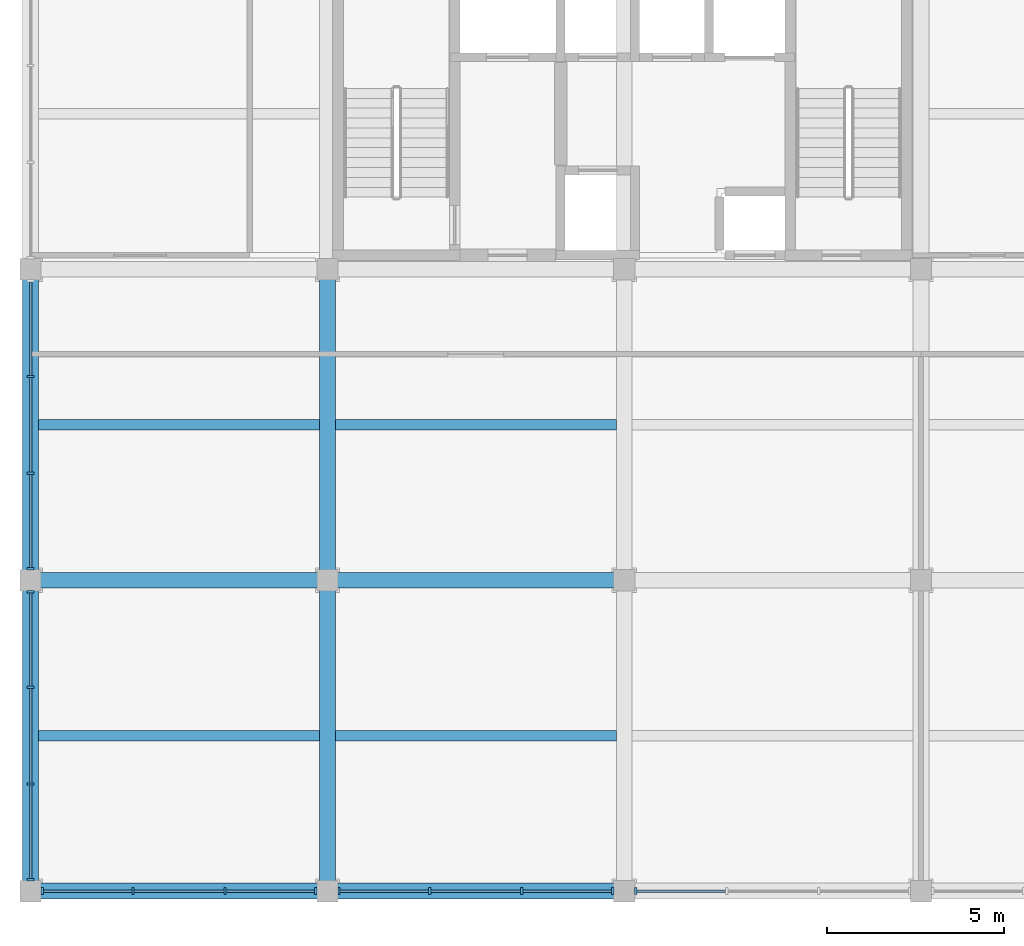
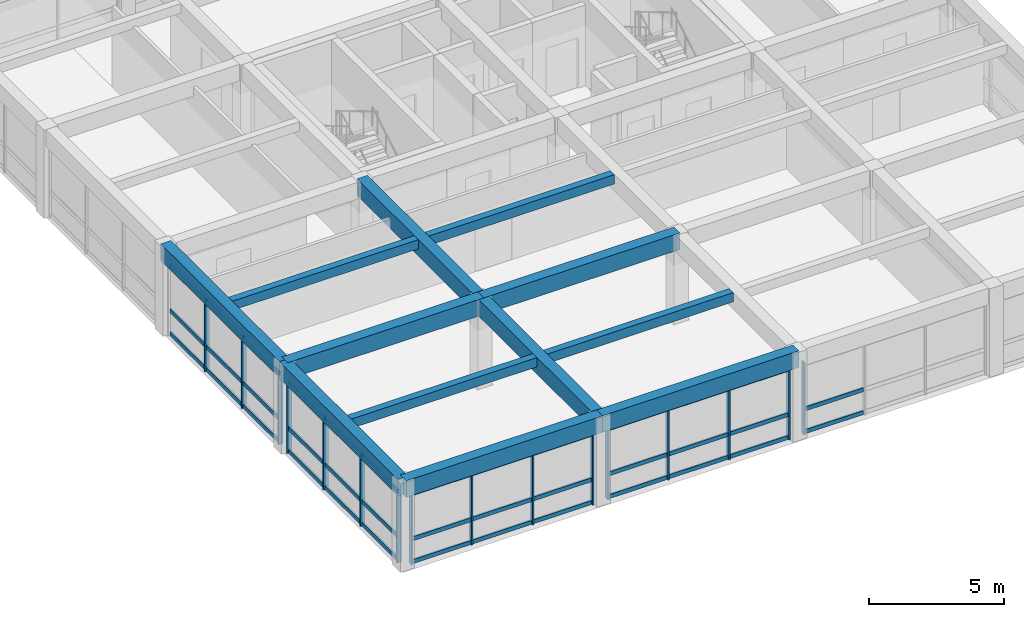
# One storey, part 2 of 14: 54 members, 12 beams, 5 elements without a shape of their own.
"""IFC4 building model written with IfcOpenShell, lengths in metres."""

import ifcopenshell
import ifcopenshell.guid

model = None  # the IFC model being written
_history = None  # IfcOwnerHistory: only IFC2X3 demands one
_inside = {}  # id of a spatial element -> (the spatial element, [elements in it])
_under = {}  # id of a project, library or spatial element -> (it, [spatial elements below it])
_declared = {}  # id of a project -> (the project, [libraries it declares])
_typed = {}  # id of a type object -> (the type object, [elements of that type])
_made_of = {}  # id of a material, layer set ... -> (it, [elements and type objects made of it])


def new_model(schema):
    """Start an empty IFC model of exactly this schema.

    Asked for "IFC4X3", IfcOpenShell would pick the latest addendum, in which some entities
    have other attributes; the version numbers below select the first issue.
    IFC2X3 requires an IfcOwnerHistory on every rooted entity: one is made here for all.
    """
    global model, _history
    if schema == "IFC4X3":
        model = ifcopenshell.file(schema_version=(4, 3, 0, 0))
    else:
        model = ifcopenshell.file(schema=schema)
    _inside.clear()
    _under.clear()
    _declared.clear()
    _typed.clear()
    _made_of.clear()
    _history = None
    if model.schema == "IFC2X3":
        org = make("IfcOrganization", Name="unknown")
        user = make(
            "IfcPersonAndOrganization",
            ThePerson=make("IfcPerson", FamilyName="unknown"),
            TheOrganization=org,
        )
        app = make(
            "IfcApplication",
            ApplicationDeveloper=org,
            Version="unknown",
            ApplicationFullName="unknown",
            ApplicationIdentifier="unknown",
        )
        _history = make(
            "IfcOwnerHistory",
            OwningUser=user,
            OwningApplication=app,
            ChangeAction="ADDED",
            CreationDate=0,
        )
    return model


def make(cls, **values):
    """One entity of the class cls with the attributes given. An attribute that is None is left unset."""
    return model.create_entity(
        cls, **{name: value for name, value in values.items() if value is not None}
    )


def rooted(cls, **values):
    """An entity with a GlobalId (a new one), such as an element, a storey or a relation."""
    return make(cls, GlobalId=ifcopenshell.guid.new(), OwnerHistory=_history, **values)


def si_unit(unit_type, name, prefix=None):
    """IfcSIUnit, for example si_unit("LENGTHUNIT", "METRE", prefix="MILLI")."""
    return make("IfcSIUnit", UnitType=unit_type, Prefix=prefix, Name=name)


def assignment(units):
    """IfcUnitAssignment: the units of a project."""
    return None if units is None else make("IfcUnitAssignment", Units=units)


def point(xyz):
    """IfcCartesianPoint."""
    return None if xyz is None else make("IfcCartesianPoint", Coordinates=xyz)


def direction(xyz):
    """IfcDirection."""
    return None if xyz is None else make("IfcDirection", DirectionRatios=xyz)


def frame(location, z_axis=None, x_axis=None):
    """IfcAxis2Placement3D, a coordinate frame: its origin and axes. An axis left out is left unset."""
    return make(
        "IfcAxis2Placement3D",
        Location=point(location),
        Axis=direction(z_axis),
        RefDirection=direction(x_axis),
    )


def frame_2d(location, x_axis=None):
    """IfcAxis2Placement2D, a coordinate frame in the plane: its origin and x axis."""
    return make(
        "IfcAxis2Placement2D", Location=point(location), RefDirection=direction(x_axis)
    )


def origin():
    """The frame at (0, 0, 0) with its axes left unset."""
    return frame((0.0, 0.0, 0.0))


def origin_2d():
    """The frame at (0, 0) in the plane with its x axis left unset."""
    return frame_2d((0.0, 0.0))


def place(relative_to, where):
    """IfcLocalPlacement: puts the frame where relative to a parent placement (None: the world)."""
    return make(
        "IfcLocalPlacement", PlacementRelTo=relative_to, RelativePlacement=where
    )


def context(
    kind, dimensions, precision=None, world=None, true_north=None, identifier=None
):
    """IfcGeometricRepresentationContext, for example the 3D "Model" context."""
    return make(
        "IfcGeometricRepresentationContext",
        ContextIdentifier=identifier,
        ContextType=kind,
        CoordinateSpaceDimension=dimensions,
        Precision=precision,
        WorldCoordinateSystem=world,
        TrueNorth=true_north,
    )


def subcontext(parent, identifier, kind, view, scale=None):
    """IfcGeometricRepresentationSubContext, for example "Body" below "Model"."""
    return make(
        "IfcGeometricRepresentationSubContext",
        ContextIdentifier=identifier,
        ContextType=kind,
        ParentContext=parent,
        TargetScale=scale,
        TargetView=view,
    )


def project(units=None, contexts=None):
    """IfcProject with its units and contexts."""
    return rooted(
        "IfcProject",
        Name="project",
        RepresentationContexts=contexts,
        UnitsInContext=assignment(units),
    )


def spatial(cls, under=None, at=None, **own):
    """A site, building, storey or space (cls), placed at a placement, below another one or the project."""
    s = rooted(cls, ObjectPlacement=at, **own)
    if under is not None:
        _under.setdefault(under.id(), (under, []))[1].append(s)
    return s


def profile(cls, at=None, kind="AREA", **sizes):
    """A parametric profile (cls). Its sizes go by their IFC names, for example OverallWidth=200.0."""
    return make(cls, ProfileType=kind, Position=at, **sizes)


def rectangle(**sizes):
    """IfcRectangleProfileDef."""
    return profile("IfcRectangleProfileDef", **sizes)


def extrude(swept, where, along, depth):
    """IfcExtrudedAreaSolid: the profile swept, set in the frame where, extruded along a direction by depth."""
    return make(
        "IfcExtrudedAreaSolid",
        SweptArea=swept,
        Position=where,
        ExtrudedDirection=direction(along),
        Depth=depth,
    )


def shape(context_of_items, identifier, shape_type, items):
    """IfcShapeRepresentation: the items that make up one representation, for example the "Body"."""
    return make(
        "IfcShapeRepresentation",
        ContextOfItems=context_of_items,
        RepresentationIdentifier=identifier,
        RepresentationType=shape_type,
        Items=items,
    )


def material(Name=None, Category=None):
    """IfcMaterial."""
    return make("IfcMaterial", Name=Name, Category=Category)


def material_profile(
    of_material, cross_section, Name=None, Category=None, Priority=None
):
    """IfcMaterialProfile: a cross section and its material."""
    return make(
        "IfcMaterialProfile",
        Name=Name,
        Material=of_material,
        Profile=cross_section,
        Priority=Priority,
        Category=Category,
    )


def profile_set(profiles, Name=None, composite=None):
    """IfcMaterialProfileSet."""
    return make(
        "IfcMaterialProfileSet",
        Name=Name,
        MaterialProfiles=profiles,
        CompositeProfile=composite,
    )


def made_of(thing, what):
    """Note that an element or type object is made of a material, layer set ...; save() writes the relation."""
    if what is not None:
        _made_of.setdefault(what.id(), (what, []))[1].append(thing)
    return thing


def type_object(cls, material=None, **own):
    """A type object (cls), such as IfcWallType, which elements share."""
    return made_of(rooted(cls, **own), material)


def element(
    cls,
    number,
    at=None,
    inside=None,
    cuts=None,
    type_object=None,
    material=None,
    context=None,
    identifier="Body",
    shape_type=None,
    held_by="IfcProductDefinitionShape",
    body=None,
    shapes=None,
    **own,
):
    """One element of the class cls, such as IfcWall. Its Tag is "e" and its number.

    at: its placement. inside: the storey or other place that contains it. cuts: it is an
    opening in that element (IfcRelVoidsElement). A single representation is given by context,
    identifier, shape_type and body (its items); several are given by shapes. held_by: the class
    of the entity that holds the representations. save() writes the other relations.
    """
    e = rooted(cls, Tag="e%d" % number, ObjectPlacement=at, **own)
    if body is not None:
        shapes = [shape(context, identifier, shape_type, body)]
    if shapes is not None:
        e.Representation = make(held_by, Representations=shapes)
    if inside is not None:
        _inside.setdefault(inside.id(), (inside, []))[1].append(e)
    if cuts is not None:
        rooted(
            "IfcRelVoidsElement", RelatingBuildingElement=cuts, RelatedOpeningElement=e
        )
    if type_object is not None:
        _typed.setdefault(type_object.id(), (type_object, []))[1].append(e)
    return made_of(e, material)


def aggregate(whole, parts):
    """IfcRelAggregates: a whole, such as a stair, and the parts it consists of."""
    return rooted("IfcRelAggregates", RelatingObject=whole, RelatedObjects=parts)


def save(model, path):
    """Write the relations noted so far, then the file.

    IfcRelAggregates (storeys below a building ...), IfcRelContainedInSpatialStructure (elements
    in a storey), IfcRelDefinesByType, IfcRelAssociatesMaterial and IfcRelDeclares: one each for
    every whole, place, type object, material and project.
    """
    for whole, parts in _under.values():
        aggregate(whole, parts)
    for where, things in _inside.values():
        rooted(
            "IfcRelContainedInSpatialStructure",
            RelatedElements=things,
            RelatingStructure=where,
        )
    for kind, things in _typed.values():
        rooted("IfcRelDefinesByType", RelatedObjects=things, RelatingType=kind)
    for what, things in _made_of.values():
        rooted("IfcRelAssociatesMaterial", RelatedObjects=things, RelatingMaterial=what)
    for by, libraries in _declared.values():
        rooted("IfcRelDeclares", RelatingContext=by, RelatedDefinitions=libraries)
    model.write(path)


model = new_model("IFC4")

# Units and contexts
model_context = context("Model", 3, precision=1e-05, world=origin(), true_north=direction((0.0, 1.0)))
body_context = subcontext(model_context, "Body", "Model", "MODEL_VIEW")
ifc_project = project(units=[si_unit("LENGTHUNIT", "METRE"), si_unit("AREAUNIT", "SQUARE_METRE"), si_unit("VOLUMEUNIT", "CUBIC_METRE"), si_unit("PLANEANGLEUNIT", "RADIAN"), si_unit("MASSUNIT", "GRAM", prefix="KILO")], contexts=[model_context])

# Site, building, storey
site_placement = place(None, origin())
site = spatial("IfcSite", under=ifc_project, at=site_placement, CompositionType="ELEMENT")
building_placement = place(site_placement, origin())
building = spatial("IfcBuilding", under=site, at=building_placement, Name="Kemercrest Conservatory and Botanical Centre", CompositionType="ELEMENT")
storey_placement = place(building_placement, frame((0.0, 0.0, 59.800048828125)))
storey = spatial("IfcBuildingStorey", under=building, at=storey_placement, Name="L15", CompositionType="ELEMENT", Elevation=59.800048828125)

# Beams
ifc_material_1 = material(Name="Concrete C40/50", Category="concrete")
ifc_material_profile_1 = material_profile(ifc_material_1, rectangle(XDim=0.449951171875, YDim=0.75, at=origin_2d()), Name="RC 450x750")
ifc_profile_set_1 = profile_set([ifc_material_profile_1], Name="Concrete C40/50")
beam_type_1 = type_object("IfcBeamType", Name="BM-RC75", PredefinedType="BEAM", material=ifc_profile_set_1)
beam_1_placement = place(storey_placement, frame((142.39990234375, 96.0, 3.625), z_axis=(1.0, 0.0, 0.0), x_axis=(0.0, 1.0, 0.0)))
element("IfcBeam", 1, at=beam_1_placement, inside=storey, type_object=beam_type_1, Name="V4-L16 beam BM-RC75 L/17-18", PredefinedType="BEAM", context=body_context, shape_type="SweptSolid", body=[
    extrude(rectangle(XDim=0.449951171875, YDim=0.75, at=origin_2d()), origin(), (0.0, 0.0, 1.0), 8.400146484375),
])
beam_2_placement = place(storey_placement, frame((150.800048828125, 96.0, 3.625), z_axis=(1.0, 0.0, 0.0), x_axis=(0.0, 1.0, 0.0)))
element("IfcBeam", 2, at=beam_2_placement, inside=storey, type_object=beam_type_1, Name="V4-L16 beam BM-RC75 L/18-19", PredefinedType="BEAM", context=body_context, shape_type="SweptSolid", body=[
    extrude(rectangle(XDim=0.449951171875, YDim=0.75, at=origin_2d()), origin(), (0.0, 0.0, 1.0), 8.39990234375),
])
for number, where, z_axis, x_axis, name in (
    (3, (150.800048828125, 87.199951171875, 3.625), (0.0, 1.0, 0.0), (-1.0, 0.0, 0.0), "V4-L16 beam BM-RC75 18/K-L"),
    (4, (150.800048828125, 96.0, 3.625), (0.0, 1.0, 0.0), (-1.0, 0.0, 0.0), "V4-L16 beam BM-RC75 18/L-M"),
):
    element("IfcBeam", number, at=place(storey_placement, frame(where, z_axis=z_axis, x_axis=x_axis)), inside=storey, type_object=beam_type_1, Name=name, PredefinedType="BEAM", context=body_context, shape_type="SweptSolid", body=[
        extrude(rectangle(XDim=0.449951171875, YDim=0.75, at=origin_2d()), origin(), (0.0, 0.0, 1.0), 8.800048828125),
    ])

# Curtain wall, members
ifc_material_2 = material(Name="Thermally broken aluminium and triple low-e glazing", Category="aluminium")
curtain_wall_type_1 = type_object("IfcCurtainWallType", Name="CW-26", PredefinedType="USERDEFINED", material=ifc_material_2)
curtain_wall_1_placement = place(storey_placement, origin())
curtain_wall_1 = element("IfcCurtainWall", 5, at=curtain_wall_1_placement, inside=storey, type_object=curtain_wall_type_1, Name="Unitised curtain wall CW-26 (CW:L15:V4-145)", ObjectType="UNITISED CURTAIN WALL", PredefinedType="USERDEFINED")
ifc_material_3 = material(Name="Thermally broken anodized aluminium 6063-T6", Category="aluminium")
ifc_material_profile_2 = material_profile(ifc_material_3, rectangle(XDim=0.199951171875, YDim=0.06494140625, at=origin_2d()), Name="AL MULLION 65x200")
ifc_profile_set_2 = profile_set([ifc_material_profile_2], Name="Thermally broken anodized aluminium 6063-T6")
member_type_1 = type_object("IfcMemberType", Name="CW-M200", PredefinedType="MULLION", material=ifc_profile_set_2)
member_1_placement = place(storey_placement, frame((142.7275390625, 87.199951171875, 0.0), z_axis=(0.0, 0.0, 1.0), x_axis=(0.0, 1.0, 0.0)))
member_1 = element("IfcMember", 6, at=member_1_placement, type_object=member_type_1, Name="CW-26 mullion 1", PredefinedType="MULLION", context=body_context, shape_type="SweptSolid", body=[
    extrude(rectangle(XDim=0.199951171875, YDim=0.06494140625, at=origin_2d()), origin(), (0.0, 0.0, 1.0), 3.2548828125),
])
member_2_placement = place(storey_placement, frame((145.29833984375, 87.199951171875, 0.0), z_axis=(0.0, 0.0, 1.0), x_axis=(0.0, 1.0, 0.0)))
member_2 = element("IfcMember", 7, at=member_2_placement, type_object=member_type_1, Name="CW-26 mullion 2", PredefinedType="MULLION", context=body_context, shape_type="SweptSolid", body=[
    extrude(rectangle(XDim=0.199951171875, YDim=0.06494140625, at=origin_2d()), origin(), (0.0, 0.0, 1.0), 3.2548828125),
])
member_3_placement = place(storey_placement, frame((147.901611328125, 87.199951171875, 0.0), z_axis=(0.0, 0.0, 1.0), x_axis=(0.0, 1.0, 0.0)))
member_3 = element("IfcMember", 8, at=member_3_placement, type_object=member_type_1, Name="CW-26 mullion 3", PredefinedType="MULLION", context=body_context, shape_type="SweptSolid", body=[
    extrude(rectangle(XDim=0.199951171875, YDim=0.06494140625, at=origin_2d()), origin(), (0.0, 0.0, 1.0), 3.2548828125),
])
member_4_placement = place(storey_placement, frame((150.472412109375, 87.199951171875, 0.0), z_axis=(0.0, 0.0, 1.0), x_axis=(0.0, 1.0, 0.0)))
member_4 = element("IfcMember", 9, at=member_4_placement, type_object=member_type_1, Name="CW-26 mullion 4", PredefinedType="MULLION", context=body_context, shape_type="SweptSolid", body=[
    extrude(rectangle(XDim=0.199951171875, YDim=0.06494140625, at=origin_2d()), origin(), (0.0, 0.0, 1.0), 3.2548828125),
])

curtain_wall_type_2 = type_object("IfcCurtainWallType", Name="CW-27", PredefinedType="USERDEFINED", material=ifc_material_2)
curtain_wall_2_placement = place(storey_placement, origin())
curtain_wall_2 = element("IfcCurtainWall", 10, at=curtain_wall_2_placement, inside=storey, type_object=curtain_wall_type_2, Name="Unitised curtain wall CW-27 (CW:L15:V4-146)", ObjectType="UNITISED CURTAIN WALL", PredefinedType="USERDEFINED")
member_5_placement = place(storey_placement, frame((151.12744140625, 87.199951171875, 0.0), z_axis=(0.0, 0.0, 1.0), x_axis=(0.0, 1.0, 0.0)))
member_5 = element("IfcMember", 11, at=member_5_placement, type_object=member_type_1, Name="CW-27 mullion 1", PredefinedType="MULLION", context=body_context, shape_type="SweptSolid", body=[
    extrude(rectangle(XDim=0.199951171875, YDim=0.06494140625, at=origin_2d()), origin(), (0.0, 0.0, 1.0), 3.2548828125),
])
member_6_placement = place(storey_placement, frame((153.6982421875, 87.199951171875, 0.0), z_axis=(0.0, 0.0, 1.0), x_axis=(0.0, 1.0, 0.0)))
member_6 = element("IfcMember", 12, at=member_6_placement, type_object=member_type_1, Name="CW-27 mullion 2", PredefinedType="MULLION", context=body_context, shape_type="SweptSolid", body=[
    extrude(rectangle(XDim=0.199951171875, YDim=0.06494140625, at=origin_2d()), origin(), (0.0, 0.0, 1.0), 3.2548828125),
])
member_7_placement = place(storey_placement, frame((156.3017578125, 87.199951171875, 0.0), z_axis=(0.0, 0.0, 1.0), x_axis=(0.0, 1.0, 0.0)))
member_7 = element("IfcMember", 13, at=member_7_placement, type_object=member_type_1, Name="CW-27 mullion 3", PredefinedType="MULLION", context=body_context, shape_type="SweptSolid", body=[
    extrude(rectangle(XDim=0.199951171875, YDim=0.06494140625, at=origin_2d()), origin(), (0.0, 0.0, 1.0), 3.2548828125),
])
member_8_placement = place(storey_placement, frame((158.87255859375, 87.199951171875, 0.0), z_axis=(0.0, 0.0, 1.0), x_axis=(0.0, 1.0, 0.0)))
member_8 = element("IfcMember", 14, at=member_8_placement, type_object=member_type_1, Name="CW-27 mullion 4", PredefinedType="MULLION", context=body_context, shape_type="SweptSolid", body=[
    extrude(rectangle(XDim=0.199951171875, YDim=0.06494140625, at=origin_2d()), origin(), (0.0, 0.0, 1.0), 3.2548828125),
])

# Curtain wall, member
curtain_wall_type_3 = type_object("IfcCurtainWallType", Name="CW-28", PredefinedType="USERDEFINED", material=ifc_material_2)
curtain_wall_3_placement = place(storey_placement, origin())
curtain_wall_3 = element("IfcCurtainWall", 15, at=curtain_wall_3_placement, inside=storey, type_object=curtain_wall_type_3, Name="Unitised curtain wall CW-28 (CW:L15:V4-147)", ObjectType="UNITISED CURTAIN WALL", PredefinedType="USERDEFINED")
member_9_placement = place(storey_placement, frame((159.527587890625, 87.199951171875, 0.0), z_axis=(0.0, 0.0, 1.0), x_axis=(0.0, 1.0, 0.0)))
member_9 = element("IfcMember", 16, at=member_9_placement, type_object=member_type_1, Name="CW-28 mullion 1", PredefinedType="MULLION", context=body_context, shape_type="SweptSolid", body=[
    extrude(rectangle(XDim=0.199951171875, YDim=0.06494140625, at=origin_2d()), origin(), (0.0, 0.0, 1.0), 3.2548828125),
])

# Curtain wall, members
curtain_wall_type_4 = type_object("IfcCurtainWallType", Name="CW-10", PredefinedType="USERDEFINED", material=ifc_material_2)
curtain_wall_4_placement = place(storey_placement, origin())
curtain_wall_4 = element("IfcCurtainWall", 17, at=curtain_wall_4_placement, inside=storey, type_object=curtain_wall_type_4, Name="Unitised curtain wall CW-10 (CW:L15:V4-159)", ObjectType="UNITISED CURTAIN WALL", PredefinedType="USERDEFINED")
member_10_placement = place(storey_placement, frame((142.39990234375, 101.768310546875, 0.0), z_axis=(0.0, 0.0, 1.0), x_axis=(1.0, 0.0, 0.0)))
member_10 = element("IfcMember", 18, at=member_10_placement, type_object=member_type_1, Name="CW-10 mullion 2", PredefinedType="MULLION", context=body_context, shape_type="SweptSolid", body=[
    extrude(rectangle(XDim=0.199951171875, YDim=0.06494140625, at=origin_2d()), origin(), (0.0, 0.0, 1.0), 3.2548828125),
])
member_11_placement = place(storey_placement, frame((142.39990234375, 99.03173828125, 0.0), z_axis=(0.0, 0.0, 1.0), x_axis=(1.0, 0.0, 0.0)))
member_11 = element("IfcMember", 19, at=member_11_placement, type_object=member_type_1, Name="CW-10 mullion 3", PredefinedType="MULLION", context=body_context, shape_type="SweptSolid", body=[
    extrude(rectangle(XDim=0.199951171875, YDim=0.06494140625, at=origin_2d()), origin(), (0.0, 0.0, 1.0), 3.2548828125),
])
member_12_placement = place(storey_placement, frame((142.39990234375, 96.327392578125, 0.0), z_axis=(0.0, 0.0, 1.0), x_axis=(1.0, 0.0, 0.0)))
member_12 = element("IfcMember", 20, at=member_12_placement, type_object=member_type_1, Name="CW-10 mullion 4", PredefinedType="MULLION", context=body_context, shape_type="SweptSolid", body=[
    extrude(rectangle(XDim=0.199951171875, YDim=0.06494140625, at=origin_2d()), origin(), (0.0, 0.0, 1.0), 3.2548828125),
])

curtain_wall_type_5 = type_object("IfcCurtainWallType", Name="CW-11", PredefinedType="USERDEFINED", material=ifc_material_2)
curtain_wall_5_placement = place(storey_placement, origin())
curtain_wall_5 = element("IfcCurtainWall", 21, at=curtain_wall_5_placement, inside=storey, type_object=curtain_wall_type_5, Name="Unitised curtain wall CW-11 (CW:L15:V4-160)", ObjectType="UNITISED CURTAIN WALL", PredefinedType="USERDEFINED")
member_13_placement = place(storey_placement, frame((142.39990234375, 95.672607421875, 0.0), z_axis=(0.0, 0.0, 1.0), x_axis=(1.0, 0.0, 0.0)))
member_13 = element("IfcMember", 22, at=member_13_placement, type_object=member_type_1, Name="CW-11 mullion 1", PredefinedType="MULLION", context=body_context, shape_type="SweptSolid", body=[
    extrude(rectangle(XDim=0.199951171875, YDim=0.06494140625, at=origin_2d()), origin(), (0.0, 0.0, 1.0), 3.2548828125),
])
member_14_placement = place(storey_placement, frame((142.39990234375, 92.96826171875, 0.0), z_axis=(0.0, 0.0, 1.0), x_axis=(1.0, 0.0, 0.0)))
member_14 = element("IfcMember", 23, at=member_14_placement, type_object=member_type_1, Name="CW-11 mullion 2", PredefinedType="MULLION", context=body_context, shape_type="SweptSolid", body=[
    extrude(rectangle(XDim=0.199951171875, YDim=0.06494140625, at=origin_2d()), origin(), (0.0, 0.0, 1.0), 3.2548828125),
])
member_15_placement = place(storey_placement, frame((142.39990234375, 90.231689453125, 0.0), z_axis=(0.0, 0.0, 1.0), x_axis=(1.0, 0.0, 0.0)))
member_15 = element("IfcMember", 24, at=member_15_placement, type_object=member_type_1, Name="CW-11 mullion 3", PredefinedType="MULLION", context=body_context, shape_type="SweptSolid", body=[
    extrude(rectangle(XDim=0.199951171875, YDim=0.06494140625, at=origin_2d()), origin(), (0.0, 0.0, 1.0), 3.2548828125),
])
member_16_placement = place(storey_placement, frame((142.39990234375, 87.527587890625, 0.0), z_axis=(0.0, 0.0, 1.0), x_axis=(1.0, 0.0, 0.0)))
member_16 = element("IfcMember", 25, at=member_16_placement, type_object=member_type_1, Name="CW-11 mullion 4", PredefinedType="MULLION", context=body_context, shape_type="SweptSolid", body=[
    extrude(rectangle(XDim=0.199951171875, YDim=0.06494140625, at=origin_2d()), origin(), (0.0, 0.0, 1.0), 3.2548828125),
])

# Member
ifc_material_profile_3 = material_profile(ifc_material_3, rectangle(XDim=0.074951171875, YDim=0.179931640625, at=origin_2d()), Name="AL TRANSOM 75x180")
ifc_profile_set_3 = profile_set([ifc_material_profile_3], Name="Thermally broken anodized aluminium 6063-T6")
member_type_2 = type_object("IfcMemberType", Name="CW-T180", PredefinedType="USERDEFINED", material=ifc_profile_set_3)
member_17_placement = place(storey_placement, frame((142.760009765625, 87.199951171875, 0.08984375), z_axis=(1.0, 0.0, 0.0), x_axis=(0.0, 1.0, 0.0)))
member_17 = element("IfcMember", 26, at=member_17_placement, type_object=member_type_2, Name="CW-26 transom 1.1", ObjectType="TRANSOM", PredefinedType="USERDEFINED", context=body_context, shape_type="SweptSolid", body=[
    extrude(rectangle(XDim=0.074951171875, YDim=0.179931640625, at=origin_2d()), origin(), (0.0, 0.0, 1.0), 2.505859375),
])

member_18_placement = place(storey_placement, frame((142.760009765625, 87.199951171875, 1.119873046875), z_axis=(1.0, 0.0, 0.0), x_axis=(0.0, 1.0, 0.0)))
member_18 = element("IfcMember", 27, at=member_18_placement, type_object=member_type_2, Name="CW-26 transom 1.2", ObjectType="TRANSOM", PredefinedType="USERDEFINED", context=body_context, shape_type="SweptSolid", body=[
    extrude(rectangle(XDim=0.074951171875, YDim=0.179931640625, at=origin_2d()), origin(), (0.0, 0.0, 1.0), 2.505859375),
])

member_19_placement = place(storey_placement, frame((142.760009765625, 87.199951171875, 3.1650390625), z_axis=(1.0, 0.0, 0.0), x_axis=(0.0, 1.0, 0.0)))
member_19 = element("IfcMember", 28, at=member_19_placement, type_object=member_type_2, Name="CW-26 transom 1.3", ObjectType="TRANSOM", PredefinedType="USERDEFINED", context=body_context, shape_type="SweptSolid", body=[
    extrude(rectangle(XDim=0.074951171875, YDim=0.179931640625, at=origin_2d()), origin(), (0.0, 0.0, 1.0), 2.505859375),
])

member_20_placement = place(storey_placement, frame((145.330810546875, 87.199951171875, 0.08984375), z_axis=(1.0, 0.0, 0.0), x_axis=(0.0, 1.0, 0.0)))
member_20 = element("IfcMember", 29, at=member_20_placement, type_object=member_type_2, Name="CW-26 transom 2.1", ObjectType="TRANSOM", PredefinedType="USERDEFINED", context=body_context, shape_type="SweptSolid", body=[
    extrude(rectangle(XDim=0.074951171875, YDim=0.179931640625, at=origin_2d()), origin(), (0.0, 0.0, 1.0), 2.538330078125),
])

member_21_placement = place(storey_placement, frame((145.330810546875, 87.199951171875, 1.119873046875), z_axis=(1.0, 0.0, 0.0), x_axis=(0.0, 1.0, 0.0)))
member_21 = element("IfcMember", 30, at=member_21_placement, type_object=member_type_2, Name="CW-26 transom 2.2", ObjectType="TRANSOM", PredefinedType="USERDEFINED", context=body_context, shape_type="SweptSolid", body=[
    extrude(rectangle(XDim=0.074951171875, YDim=0.179931640625, at=origin_2d()), origin(), (0.0, 0.0, 1.0), 2.538330078125),
])

member_22_placement = place(storey_placement, frame((145.330810546875, 87.199951171875, 3.1650390625), z_axis=(1.0, 0.0, 0.0), x_axis=(0.0, 1.0, 0.0)))
member_22 = element("IfcMember", 31, at=member_22_placement, type_object=member_type_2, Name="CW-26 transom 2.3", ObjectType="TRANSOM", PredefinedType="USERDEFINED", context=body_context, shape_type="SweptSolid", body=[
    extrude(rectangle(XDim=0.074951171875, YDim=0.179931640625, at=origin_2d()), origin(), (0.0, 0.0, 1.0), 2.538330078125),
])

member_23_placement = place(storey_placement, frame((147.93408203125, 87.199951171875, 0.08984375), z_axis=(1.0, 0.0, 0.0), x_axis=(0.0, 1.0, 0.0)))
member_23 = element("IfcMember", 32, at=member_23_placement, type_object=member_type_2, Name="CW-26 transom 3.1", ObjectType="TRANSOM", PredefinedType="USERDEFINED", context=body_context, shape_type="SweptSolid", body=[
    extrude(rectangle(XDim=0.074951171875, YDim=0.179931640625, at=origin_2d()), origin(), (0.0, 0.0, 1.0), 2.505859375),
])

member_24_placement = place(storey_placement, frame((147.93408203125, 87.199951171875, 1.119873046875), z_axis=(1.0, 0.0, 0.0), x_axis=(0.0, 1.0, 0.0)))
member_24 = element("IfcMember", 33, at=member_24_placement, type_object=member_type_2, Name="CW-26 transom 3.2", ObjectType="TRANSOM", PredefinedType="USERDEFINED", context=body_context, shape_type="SweptSolid", body=[
    extrude(rectangle(XDim=0.074951171875, YDim=0.179931640625, at=origin_2d()), origin(), (0.0, 0.0, 1.0), 2.505859375),
])

member_25_placement = place(storey_placement, frame((147.93408203125, 87.199951171875, 3.1650390625), z_axis=(1.0, 0.0, 0.0), x_axis=(0.0, 1.0, 0.0)))
member_25 = element("IfcMember", 34, at=member_25_placement, type_object=member_type_2, Name="CW-26 transom 3.3", ObjectType="TRANSOM", PredefinedType="USERDEFINED", context=body_context, shape_type="SweptSolid", body=[
    extrude(rectangle(XDim=0.074951171875, YDim=0.179931640625, at=origin_2d()), origin(), (0.0, 0.0, 1.0), 2.505859375),
])

aggregate(curtain_wall_1, [member_1, member_2, member_3, member_4, member_17, member_18, member_19, member_20, member_21, member_22, member_23, member_24, member_25])

member_26_placement = place(storey_placement, frame((151.159912109375, 87.199951171875, 0.08984375), z_axis=(1.0, 0.0, 0.0), x_axis=(0.0, 1.0, 0.0)))
member_26 = element("IfcMember", 35, at=member_26_placement, type_object=member_type_2, Name="CW-27 transom 1.1", ObjectType="TRANSOM", PredefinedType="USERDEFINED", context=body_context, shape_type="SweptSolid", body=[
    extrude(rectangle(XDim=0.074951171875, YDim=0.179931640625, at=origin_2d()), origin(), (0.0, 0.0, 1.0), 2.505859375),
])

member_27_placement = place(storey_placement, frame((151.159912109375, 87.199951171875, 1.119873046875), z_axis=(1.0, 0.0, 0.0), x_axis=(0.0, 1.0, 0.0)))
member_27 = element("IfcMember", 36, at=member_27_placement, type_object=member_type_2, Name="CW-27 transom 1.2", ObjectType="TRANSOM", PredefinedType="USERDEFINED", context=body_context, shape_type="SweptSolid", body=[
    extrude(rectangle(XDim=0.074951171875, YDim=0.179931640625, at=origin_2d()), origin(), (0.0, 0.0, 1.0), 2.505859375),
])

member_28_placement = place(storey_placement, frame((151.159912109375, 87.199951171875, 3.1650390625), z_axis=(1.0, 0.0, 0.0), x_axis=(0.0, 1.0, 0.0)))
member_28 = element("IfcMember", 37, at=member_28_placement, type_object=member_type_2, Name="CW-27 transom 1.3", ObjectType="TRANSOM", PredefinedType="USERDEFINED", context=body_context, shape_type="SweptSolid", body=[
    extrude(rectangle(XDim=0.074951171875, YDim=0.179931640625, at=origin_2d()), origin(), (0.0, 0.0, 1.0), 2.505859375),
])

member_29_placement = place(storey_placement, frame((153.730712890625, 87.199951171875, 0.08984375), z_axis=(1.0, 0.0, 0.0), x_axis=(0.0, 1.0, 0.0)))
member_29 = element("IfcMember", 38, at=member_29_placement, type_object=member_type_2, Name="CW-27 transom 2.1", ObjectType="TRANSOM", PredefinedType="USERDEFINED", context=body_context, shape_type="SweptSolid", body=[
    extrude(rectangle(XDim=0.074951171875, YDim=0.179931640625, at=origin_2d()), origin(), (0.0, 0.0, 1.0), 2.53857421875),
])

member_30_placement = place(storey_placement, frame((153.730712890625, 87.199951171875, 1.119873046875), z_axis=(1.0, 0.0, 0.0), x_axis=(0.0, 1.0, 0.0)))
member_30 = element("IfcMember", 39, at=member_30_placement, type_object=member_type_2, Name="CW-27 transom 2.2", ObjectType="TRANSOM", PredefinedType="USERDEFINED", context=body_context, shape_type="SweptSolid", body=[
    extrude(rectangle(XDim=0.074951171875, YDim=0.179931640625, at=origin_2d()), origin(), (0.0, 0.0, 1.0), 2.53857421875),
])

member_31_placement = place(storey_placement, frame((153.730712890625, 87.199951171875, 3.1650390625), z_axis=(1.0, 0.0, 0.0), x_axis=(0.0, 1.0, 0.0)))
member_31 = element("IfcMember", 40, at=member_31_placement, type_object=member_type_2, Name="CW-27 transom 2.3", ObjectType="TRANSOM", PredefinedType="USERDEFINED", context=body_context, shape_type="SweptSolid", body=[
    extrude(rectangle(XDim=0.074951171875, YDim=0.179931640625, at=origin_2d()), origin(), (0.0, 0.0, 1.0), 2.53857421875),
])

member_32_placement = place(storey_placement, frame((156.334228515625, 87.199951171875, 0.08984375), z_axis=(1.0, 0.0, 0.0), x_axis=(0.0, 1.0, 0.0)))
member_32 = element("IfcMember", 41, at=member_32_placement, type_object=member_type_2, Name="CW-27 transom 3.1", ObjectType="TRANSOM", PredefinedType="USERDEFINED", context=body_context, shape_type="SweptSolid", body=[
    extrude(rectangle(XDim=0.074951171875, YDim=0.179931640625, at=origin_2d()), origin(), (0.0, 0.0, 1.0), 2.505859375),
])

member_33_placement = place(storey_placement, frame((156.334228515625, 87.199951171875, 1.119873046875), z_axis=(1.0, 0.0, 0.0), x_axis=(0.0, 1.0, 0.0)))
member_33 = element("IfcMember", 42, at=member_33_placement, type_object=member_type_2, Name="CW-27 transom 3.2", ObjectType="TRANSOM", PredefinedType="USERDEFINED", context=body_context, shape_type="SweptSolid", body=[
    extrude(rectangle(XDim=0.074951171875, YDim=0.179931640625, at=origin_2d()), origin(), (0.0, 0.0, 1.0), 2.505859375),
])

member_34_placement = place(storey_placement, frame((156.334228515625, 87.199951171875, 3.1650390625), z_axis=(1.0, 0.0, 0.0), x_axis=(0.0, 1.0, 0.0)))
member_34 = element("IfcMember", 43, at=member_34_placement, type_object=member_type_2, Name="CW-27 transom 3.3", ObjectType="TRANSOM", PredefinedType="USERDEFINED", context=body_context, shape_type="SweptSolid", body=[
    extrude(rectangle(XDim=0.074951171875, YDim=0.179931640625, at=origin_2d()), origin(), (0.0, 0.0, 1.0), 2.505859375),
])

aggregate(curtain_wall_2, [member_5, member_6, member_7, member_8, member_26, member_27, member_28, member_29, member_30, member_31, member_32, member_33, member_34])

member_35_placement = place(storey_placement, frame((159.56005859375, 87.199951171875, 0.08984375), z_axis=(1.0, 0.0, 0.0), x_axis=(0.0, 1.0, 0.0)))
member_35 = element("IfcMember", 44, at=member_35_placement, type_object=member_type_2, Name="CW-28 transom 1.1", ObjectType="TRANSOM", PredefinedType="USERDEFINED", context=body_context, shape_type="SweptSolid", body=[
    extrude(rectangle(XDim=0.074951171875, YDim=0.179931640625, at=origin_2d()), origin(), (0.0, 0.0, 1.0), 2.505859375),
])

member_36_placement = place(storey_placement, frame((159.56005859375, 87.199951171875, 1.119873046875), z_axis=(1.0, 0.0, 0.0), x_axis=(0.0, 1.0, 0.0)))
member_36 = element("IfcMember", 45, at=member_36_placement, type_object=member_type_2, Name="CW-28 transom 1.2", ObjectType="TRANSOM", PredefinedType="USERDEFINED", context=body_context, shape_type="SweptSolid", body=[
    extrude(rectangle(XDim=0.074951171875, YDim=0.179931640625, at=origin_2d()), origin(), (0.0, 0.0, 1.0), 2.505859375),
])

aggregate(curtain_wall_3, [member_9, member_35, member_36])

member_37_placement = place(storey_placement, frame((142.39990234375, 104.43994140625, 0.08984375), z_axis=(0.0, -1.0, 0.0), x_axis=(1.0, 0.0, 0.0)))
member_37 = element("IfcMember", 46, at=member_37_placement, type_object=member_type_2, Name="CW-10 transom 1.1", ObjectType="TRANSOM", PredefinedType="USERDEFINED", context=body_context, shape_type="SweptSolid", body=[
    extrude(rectangle(XDim=0.074951171875, YDim=0.179931640625, at=origin_2d()), origin(), (0.0, 0.0, 1.0), 2.63916015625),
])

member_38_placement = place(storey_placement, frame((142.39990234375, 104.43994140625, 1.119873046875), z_axis=(0.0, -1.0, 0.0), x_axis=(1.0, 0.0, 0.0)))
member_38 = element("IfcMember", 47, at=member_38_placement, type_object=member_type_2, Name="CW-10 transom 1.2", ObjectType="TRANSOM", PredefinedType="USERDEFINED", context=body_context, shape_type="SweptSolid", body=[
    extrude(rectangle(XDim=0.074951171875, YDim=0.179931640625, at=origin_2d()), origin(), (0.0, 0.0, 1.0), 2.63916015625),
])

member_39_placement = place(storey_placement, frame((142.39990234375, 104.43994140625, 3.1650390625), z_axis=(0.0, -1.0, 0.0), x_axis=(1.0, 0.0, 0.0)))
member_39 = element("IfcMember", 48, at=member_39_placement, type_object=member_type_2, Name="CW-10 transom 1.3", ObjectType="TRANSOM", PredefinedType="USERDEFINED", context=body_context, shape_type="SweptSolid", body=[
    extrude(rectangle(XDim=0.074951171875, YDim=0.179931640625, at=origin_2d()), origin(), (0.0, 0.0, 1.0), 2.63916015625),
])

member_40_placement = place(storey_placement, frame((142.39990234375, 101.73583984375, 0.08984375), z_axis=(0.0, -1.0, 0.0), x_axis=(1.0, 0.0, 0.0)))
member_40 = element("IfcMember", 49, at=member_40_placement, type_object=member_type_2, Name="CW-10 transom 2.1", ObjectType="TRANSOM", PredefinedType="USERDEFINED", context=body_context, shape_type="SweptSolid", body=[
    extrude(rectangle(XDim=0.074951171875, YDim=0.179931640625, at=origin_2d()), origin(), (0.0, 0.0, 1.0), 2.671630859375),
])

member_41_placement = place(storey_placement, frame((142.39990234375, 101.73583984375, 1.119873046875), z_axis=(0.0, -1.0, 0.0), x_axis=(1.0, 0.0, 0.0)))
member_41 = element("IfcMember", 50, at=member_41_placement, type_object=member_type_2, Name="CW-10 transom 2.2", ObjectType="TRANSOM", PredefinedType="USERDEFINED", context=body_context, shape_type="SweptSolid", body=[
    extrude(rectangle(XDim=0.074951171875, YDim=0.179931640625, at=origin_2d()), origin(), (0.0, 0.0, 1.0), 2.671630859375),
])

member_42_placement = place(storey_placement, frame((142.39990234375, 101.73583984375, 3.1650390625), z_axis=(0.0, -1.0, 0.0), x_axis=(1.0, 0.0, 0.0)))
member_42 = element("IfcMember", 51, at=member_42_placement, type_object=member_type_2, Name="CW-10 transom 2.3", ObjectType="TRANSOM", PredefinedType="USERDEFINED", context=body_context, shape_type="SweptSolid", body=[
    extrude(rectangle(XDim=0.074951171875, YDim=0.179931640625, at=origin_2d()), origin(), (0.0, 0.0, 1.0), 2.671630859375),
])

member_43_placement = place(storey_placement, frame((142.39990234375, 98.999267578125, 0.08984375), z_axis=(0.0, -1.0, 0.0), x_axis=(1.0, 0.0, 0.0)))
member_43 = element("IfcMember", 52, at=member_43_placement, type_object=member_type_2, Name="CW-10 transom 3.1", ObjectType="TRANSOM", PredefinedType="USERDEFINED", context=body_context, shape_type="SweptSolid", body=[
    extrude(rectangle(XDim=0.074951171875, YDim=0.179931640625, at=origin_2d()), origin(), (0.0, 0.0, 1.0), 2.63916015625),
])

member_44_placement = place(storey_placement, frame((142.39990234375, 98.999267578125, 1.119873046875), z_axis=(0.0, -1.0, 0.0), x_axis=(1.0, 0.0, 0.0)))
member_44 = element("IfcMember", 53, at=member_44_placement, type_object=member_type_2, Name="CW-10 transom 3.2", ObjectType="TRANSOM", PredefinedType="USERDEFINED", context=body_context, shape_type="SweptSolid", body=[
    extrude(rectangle(XDim=0.074951171875, YDim=0.179931640625, at=origin_2d()), origin(), (0.0, 0.0, 1.0), 2.63916015625),
])

member_45_placement = place(storey_placement, frame((142.39990234375, 98.999267578125, 3.1650390625), z_axis=(0.0, -1.0, 0.0), x_axis=(1.0, 0.0, 0.0)))
member_45 = element("IfcMember", 54, at=member_45_placement, type_object=member_type_2, Name="CW-10 transom 3.3", ObjectType="TRANSOM", PredefinedType="USERDEFINED", context=body_context, shape_type="SweptSolid", body=[
    extrude(rectangle(XDim=0.074951171875, YDim=0.179931640625, at=origin_2d()), origin(), (0.0, 0.0, 1.0), 2.63916015625),
])

aggregate(curtain_wall_4, [member_10, member_11, member_12, member_37, member_38, member_39, member_40, member_41, member_42, member_43, member_44, member_45])

member_46_placement = place(storey_placement, frame((142.39990234375, 95.639892578125, 0.08984375), z_axis=(0.0, -1.0, 0.0), x_axis=(1.0, 0.0, 0.0)))
member_46 = element("IfcMember", 55, at=member_46_placement, type_object=member_type_2, Name="CW-11 transom 1.1", ObjectType="TRANSOM", PredefinedType="USERDEFINED", context=body_context, shape_type="SweptSolid", body=[
    extrude(rectangle(XDim=0.074951171875, YDim=0.179931640625, at=origin_2d()), origin(), (0.0, 0.0, 1.0), 2.63916015625),
])

member_47_placement = place(storey_placement, frame((142.39990234375, 95.639892578125, 1.119873046875), z_axis=(0.0, -1.0, 0.0), x_axis=(1.0, 0.0, 0.0)))
member_47 = element("IfcMember", 56, at=member_47_placement, type_object=member_type_2, Name="CW-11 transom 1.2", ObjectType="TRANSOM", PredefinedType="USERDEFINED", context=body_context, shape_type="SweptSolid", body=[
    extrude(rectangle(XDim=0.074951171875, YDim=0.179931640625, at=origin_2d()), origin(), (0.0, 0.0, 1.0), 2.63916015625),
])

member_48_placement = place(storey_placement, frame((142.39990234375, 95.639892578125, 3.1650390625), z_axis=(0.0, -1.0, 0.0), x_axis=(1.0, 0.0, 0.0)))
member_48 = element("IfcMember", 57, at=member_48_placement, type_object=member_type_2, Name="CW-11 transom 1.3", ObjectType="TRANSOM", PredefinedType="USERDEFINED", context=body_context, shape_type="SweptSolid", body=[
    extrude(rectangle(XDim=0.074951171875, YDim=0.179931640625, at=origin_2d()), origin(), (0.0, 0.0, 1.0), 2.63916015625),
])

member_49_placement = place(storey_placement, frame((142.39990234375, 92.935791015625, 0.08984375), z_axis=(0.0, -1.0, 0.0), x_axis=(1.0, 0.0, 0.0)))
member_49 = element("IfcMember", 58, at=member_49_placement, type_object=member_type_2, Name="CW-11 transom 2.1", ObjectType="TRANSOM", PredefinedType="USERDEFINED", context=body_context, shape_type="SweptSolid", body=[
    extrude(rectangle(XDim=0.074951171875, YDim=0.179931640625, at=origin_2d()), origin(), (0.0, 0.0, 1.0), 2.671630859375),
])

member_50_placement = place(storey_placement, frame((142.39990234375, 92.935791015625, 1.119873046875), z_axis=(0.0, -1.0, 0.0), x_axis=(1.0, 0.0, 0.0)))
member_50 = element("IfcMember", 59, at=member_50_placement, type_object=member_type_2, Name="CW-11 transom 2.2", ObjectType="TRANSOM", PredefinedType="USERDEFINED", context=body_context, shape_type="SweptSolid", body=[
    extrude(rectangle(XDim=0.074951171875, YDim=0.179931640625, at=origin_2d()), origin(), (0.0, 0.0, 1.0), 2.671630859375),
])

member_51_placement = place(storey_placement, frame((142.39990234375, 92.935791015625, 3.1650390625), z_axis=(0.0, -1.0, 0.0), x_axis=(1.0, 0.0, 0.0)))
member_51 = element("IfcMember", 60, at=member_51_placement, type_object=member_type_2, Name="CW-11 transom 2.3", ObjectType="TRANSOM", PredefinedType="USERDEFINED", context=body_context, shape_type="SweptSolid", body=[
    extrude(rectangle(XDim=0.074951171875, YDim=0.179931640625, at=origin_2d()), origin(), (0.0, 0.0, 1.0), 2.671630859375),
])

member_52_placement = place(storey_placement, frame((142.39990234375, 90.19921875, 0.08984375), z_axis=(0.0, -1.0, 0.0), x_axis=(1.0, 0.0, 0.0)))
member_52 = element("IfcMember", 61, at=member_52_placement, type_object=member_type_2, Name="CW-11 transom 3.1", ObjectType="TRANSOM", PredefinedType="USERDEFINED", context=body_context, shape_type="SweptSolid", body=[
    extrude(rectangle(XDim=0.074951171875, YDim=0.179931640625, at=origin_2d()), origin(), (0.0, 0.0, 1.0), 2.63916015625),
])

member_53_placement = place(storey_placement, frame((142.39990234375, 90.19921875, 1.119873046875), z_axis=(0.0, -1.0, 0.0), x_axis=(1.0, 0.0, 0.0)))
member_53 = element("IfcMember", 62, at=member_53_placement, type_object=member_type_2, Name="CW-11 transom 3.2", ObjectType="TRANSOM", PredefinedType="USERDEFINED", context=body_context, shape_type="SweptSolid", body=[
    extrude(rectangle(XDim=0.074951171875, YDim=0.179931640625, at=origin_2d()), origin(), (0.0, 0.0, 1.0), 2.63916015625),
])

member_54_placement = place(storey_placement, frame((142.39990234375, 90.19921875, 3.1650390625), z_axis=(0.0, -1.0, 0.0), x_axis=(1.0, 0.0, 0.0)))
member_54 = element("IfcMember", 63, at=member_54_placement, type_object=member_type_2, Name="CW-11 transom 3.3", ObjectType="TRANSOM", PredefinedType="USERDEFINED", context=body_context, shape_type="SweptSolid", body=[
    extrude(rectangle(XDim=0.074951171875, YDim=0.179931640625, at=origin_2d()), origin(), (0.0, 0.0, 1.0), 2.63916015625),
])

aggregate(curtain_wall_5, [member_13, member_14, member_15, member_16, member_46, member_47, member_48, member_49, member_50, member_51, member_52, member_53, member_54])

# Beams
ifc_material_profile_4 = material_profile(ifc_material_1, rectangle(XDim=0.300048828125, YDim=0.419921875, at=origin_2d()), Name="RC 300x420")
ifc_profile_set_4 = profile_set([ifc_material_profile_4], Name="Concrete C40/50")
beam_type_2 = type_object("IfcBeamType", Name="JS-RC42", PredefinedType="JOIST", material=ifc_profile_set_4)
beam_3_placement = place(storey_placement, frame((142.625, 91.60009765625, 3.7900390625), z_axis=(1.0, 0.0, 0.0), x_axis=(0.0, 1.0, 0.0)))
element("IfcBeam", 64, at=beam_3_placement, inside=storey, type_object=beam_type_2, Name="V4-L16 secondary joist JS-RC42", PredefinedType="JOIST", context=body_context, shape_type="SweptSolid", body=[
    extrude(rectangle(XDim=0.300048828125, YDim=0.419921875, at=origin_2d()), origin(), (0.0, 0.0, 1.0), 7.949951171875),
])
beam_4_placement = place(storey_placement, frame((151.02490234375, 91.60009765625, 3.7900390625), z_axis=(1.0, 0.0, 0.0), x_axis=(0.0, 1.0, 0.0)))
element("IfcBeam", 65, at=beam_4_placement, inside=storey, type_object=beam_type_2, Name="V4-L16 secondary joist JS-RC42", PredefinedType="JOIST", context=body_context, shape_type="SweptSolid", body=[
    extrude(rectangle(XDim=0.300048828125, YDim=0.419921875, at=origin_2d()), origin(), (0.0, 0.0, 1.0), 7.9501953125),
])
beam_5_placement = place(storey_placement, frame((142.625, 100.39990234375, 3.7900390625), z_axis=(1.0, 0.0, 0.0), x_axis=(0.0, 1.0, 0.0)))
element("IfcBeam", 66, at=beam_5_placement, inside=storey, type_object=beam_type_2, Name="V4-L16 secondary joist JS-RC42", PredefinedType="JOIST", context=body_context, shape_type="SweptSolid", body=[
    extrude(rectangle(XDim=0.300048828125, YDim=0.419921875, at=origin_2d()), origin(), (0.0, 0.0, 1.0), 7.949951171875),
])
beam_6_placement = place(storey_placement, frame((151.02490234375, 100.39990234375, 3.7900390625), z_axis=(1.0, 0.0, 0.0), x_axis=(0.0, 1.0, 0.0)))
element("IfcBeam", 67, at=beam_6_placement, inside=storey, type_object=beam_type_2, Name="V4-L16 secondary joist JS-RC42", PredefinedType="JOIST", context=body_context, shape_type="SweptSolid", body=[
    extrude(rectangle(XDim=0.300048828125, YDim=0.419921875, at=origin_2d()), origin(), (0.0, 0.0, 1.0), 7.9501953125),
])
ifc_material_profile_5 = material_profile(ifc_material_1, rectangle(XDim=0.449951171875, YDim=0.75, at=origin_2d()), Name="RC 450x750")
ifc_profile_set_5 = profile_set([ifc_material_profile_5], Name="Concrete C40/50")
beam_type_3 = type_object("IfcBeamType", Name="SP-RC75", PredefinedType="SPANDREL", material=ifc_profile_set_5)
beam_7_placement = place(storey_placement, frame((142.39990234375, 87.199951171875, 3.625), z_axis=(1.0, 0.0, 0.0), x_axis=(0.0, 1.0, 0.0)))
element("IfcBeam", 68, at=beam_7_placement, inside=storey, type_object=beam_type_3, Name="V4-L16 beam SP-RC75 K/17-18", PredefinedType="SPANDREL", context=body_context, shape_type="SweptSolid", body=[
    extrude(rectangle(XDim=0.449951171875, YDim=0.75, at=origin_2d()), origin(), (0.0, 0.0, 1.0), 8.400146484375),
])
beam_8_placement = place(storey_placement, frame((150.800048828125, 87.199951171875, 3.625), z_axis=(1.0, 0.0, 0.0), x_axis=(0.0, 1.0, 0.0)))
element("IfcBeam", 69, at=beam_8_placement, inside=storey, type_object=beam_type_3, Name="V4-L16 beam SP-RC75 K/18-19", PredefinedType="SPANDREL", context=body_context, shape_type="SweptSolid", body=[
    extrude(rectangle(XDim=0.449951171875, YDim=0.75, at=origin_2d()), origin(), (0.0, 0.0, 1.0), 8.39990234375),
])
for number, where, z_axis, x_axis, name in (
    (70, (142.39990234375, 87.199951171875, 3.625), (0.0, 1.0, 0.0), (-1.0, 0.0, 0.0), "V4-L16 beam SP-RC75 17/K-L"),
    (71, (142.39990234375, 96.0, 3.625), (0.0, 1.0, 0.0), (-1.0, 0.0, 0.0), "V4-L16 beam SP-RC75 17/L-M"),
):
    element("IfcBeam", number, at=place(storey_placement, frame(where, z_axis=z_axis, x_axis=x_axis)), inside=storey, type_object=beam_type_3, Name=name, PredefinedType="SPANDREL", context=body_context, shape_type="SweptSolid", body=[
        extrude(rectangle(XDim=0.449951171875, YDim=0.75, at=origin_2d()), origin(), (0.0, 0.0, 1.0), 8.800048828125),
    ])

save(model, "model.ifc")
